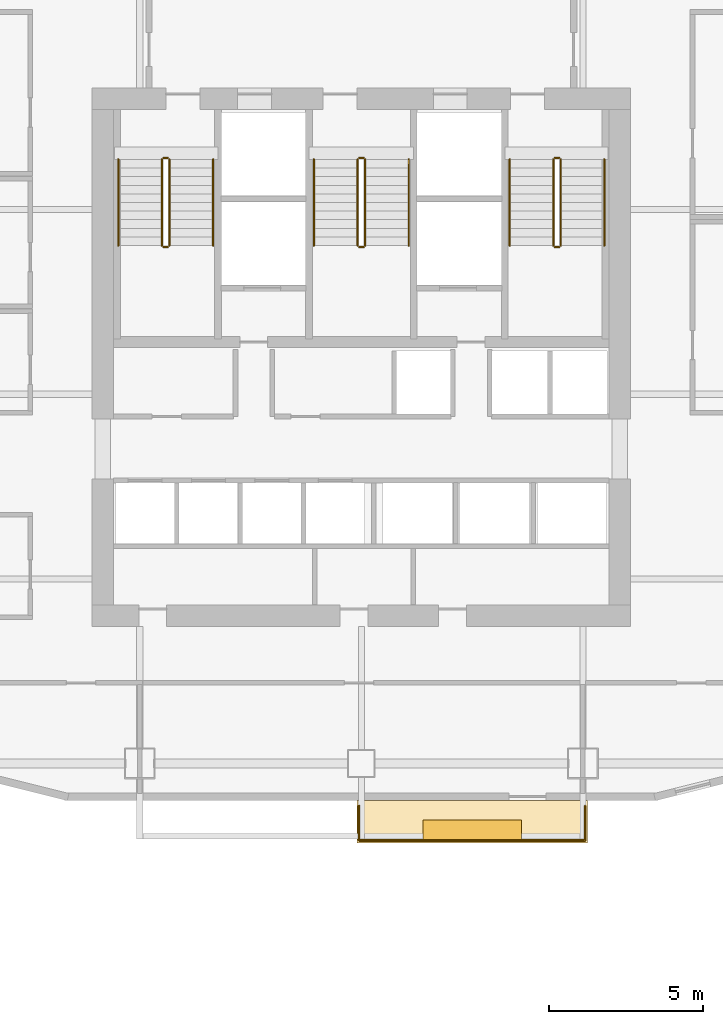
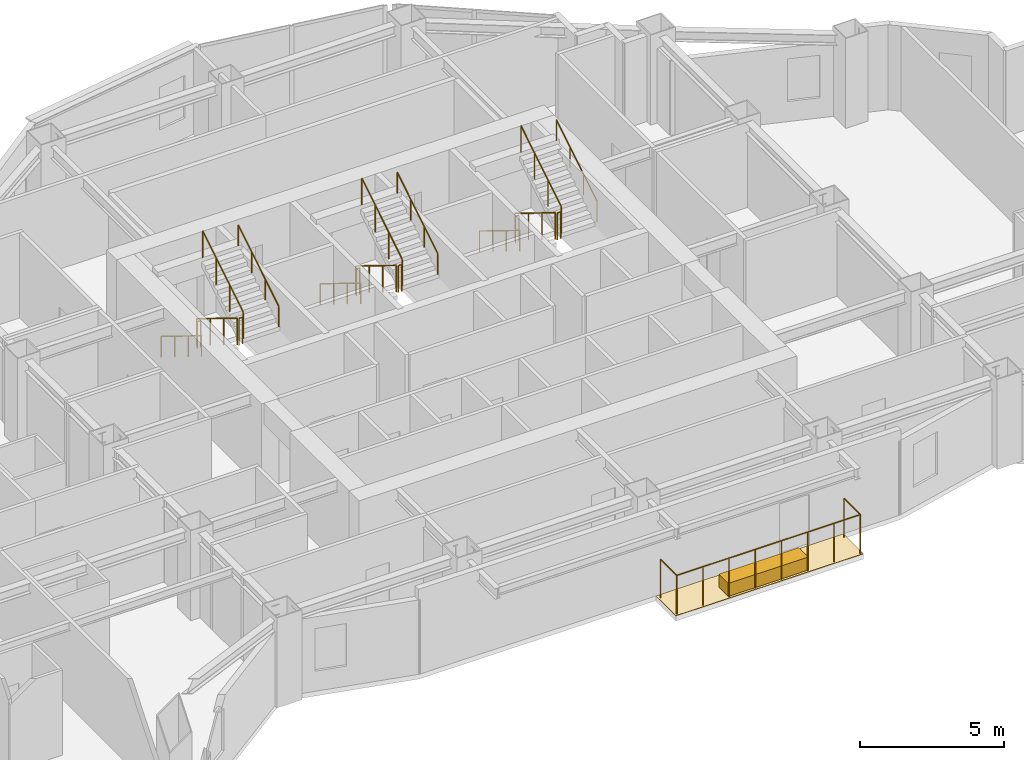
# One storey, part 12 of 13: 20 railings, 2 coverings.
"""IFC4 building model written with IfcOpenShell, lengths in metres."""

from ifc_helpers import new_model, si_unit, direction, frame, origin, origin_2d, place, context, subcontext, project, spatial, polyline, rectangle, circle, outline, extrude, material, layer, layer_set, type_object, element, save


model = new_model("IFC4")

# Units and contexts
model_context = context("Model", 3, precision=1e-05, world=origin(), true_north=direction((0.0, 1.0)))
body_context = subcontext(model_context, "Body", "Model", "MODEL_VIEW")
ifc_project = project(units=[si_unit("LENGTHUNIT", "METRE"), si_unit("AREAUNIT", "SQUARE_METRE"), si_unit("VOLUMEUNIT", "CUBIC_METRE"), si_unit("PLANEANGLEUNIT", "RADIAN"), si_unit("MASSUNIT", "GRAM", prefix="KILO")], contexts=[model_context])

# Site, building, storey
site_placement = place(None, origin())
site = spatial("IfcSite", under=ifc_project, at=site_placement, CompositionType="ELEMENT")
building_placement = place(site_placement, origin())
building = spatial("IfcBuilding", under=site, at=building_placement, Name="Haolan Belvedere Tower", CompositionType="ELEMENT")
storey_placement = place(building_placement, frame((0.0, 0.0, 106.0)))
storey = spatial("IfcBuildingStorey", under=building, at=storey_placement, Name="L26", CompositionType="ELEMENT", Elevation=106.0)

# Coverings
ifc_material_1 = material(Name="Engineered lightweight planted garden soil substrate", Category="masonry")
ifc_layer_1 = layer(ifc_material_1, 0.550048828125, Name="Engineered lightweight planted garden soil substrate")
ifc_layer_set_1 = layer_set([ifc_layer_1], Name="Engineered lightweight planted garden soil substrate")
covering_type_1 = type_object("IfcCoveringType", Name="COV-PLANT-550", PredefinedType="MEMBRANE", material=ifc_layer_set_1)
covering_1_placement = place(storey_placement, frame((42.0, 19.43994140625, 0.0), z_axis=(0.0, 0.0, 1.0), x_axis=(1.0, 0.0, 0.0)))
element("IfcCovering", 1, at=covering_1_placement, inside=storey, type_object=covering_type_1, Name="L26 structural tree balcony PLANTER box 1", PredefinedType="MEMBRANE", context=body_context, shape_type="SweptSolid", body=[
    extrude(rectangle(XDim=3.199951171875, YDim=0.64990234375, at=origin_2d()), origin(), (0.0, 0.0, 1.0), 0.550048828125),
])
ifc_material_2 = material(Name="Elastomeric waterproof roofing membrane and stone pavers", Category="masonry")
ifc_layer_2 = layer(ifc_material_2, 0.02001953125, Name="Elastomeric waterproof roofing membrane and stone pavers")
ifc_layer_set_2 = layer_set([ifc_layer_2], Name="Elastomeric waterproof roofing membrane and stone pavers")
covering_type_2 = type_object("IfcCoveringType", Name="COV-ROOF-20", PredefinedType="ROOFING", material=ifc_layer_set_2)
covering_2_placement = place(storey_placement, frame((0.0, 0.0, -0.02001953125)))
element("IfcCovering", 2, at=covering_2_placement, inside=storey, type_object=covering_type_2, Name="L26 tree-balcony waterproof membrane 1", PredefinedType="ROOFING", context=body_context, shape_type="SweptSolid", body=[
    extrude(outline(polyline([(38.25, 19.02001953125), (45.75, 19.02001953125), (45.75, 20.39990234375), (38.25, 20.39990234375), (38.25, 19.02001953125)])), origin(), (0.0, 0.0, 1.0), 0.02001953125),
])

# Railings
ifc_material_3 = material(Name="Brushed stainless steel 304", Category="steel")
railing_type_1 = type_object("IfcRailingType", Name="RL-STAIR-GRD-1150", PredefinedType="GUARDRAIL", material=ifc_material_3)
railing_1_placement = place(storey_placement, frame((31.919921875, 41.22998046875, 0.172607421875)))
element("IfcRailing", 3, at=railing_1_placement, inside=storey, type_object=railing_type_1, Name="L26 ST1 stair guard 1", PredefinedType="GUARDRAIL", context=body_context, shape_type="SweptSolid", body=[
    extrude(circle(Radius=0.02392578125, at=origin_2d()), frame((0.0, 0.0, 1.1259765625), z_axis=(0.0, -0.851089632645, 0.525020415988), x_axis=(1.0, 0.0, 0.0)), (0.0, 0.0, 1.0), 3.2900390625),
    extrude(circle(Radius=0.02099609375, at=origin_2d()), origin(), (0.0, 0.0, 1.0), 1.101806640625),
    extrude(circle(Radius=0.02099609375, at=origin_2d()), frame((0.0, -0.933349609375, 0.57568359375)), (0.0, 0.0, 1.0), 1.101806640625),
    extrude(circle(Radius=0.02099609375, at=origin_2d()), frame((0.0, -1.86669921875, 1.151611328125)), (0.0, 0.0, 1.0), 1.101806640625),
    extrude(circle(Radius=0.02099609375, at=origin_2d()), frame((0.0, -2.800048828125, 1.727294921875)), (0.0, 0.0, 1.0), 1.101806640625),
])
railing_2_placement = place(storey_placement, frame((31.969970703125, 38.3798828125, 1.89990234375)))
element("IfcRailing", 4, at=railing_2_placement, inside=storey, type_object=railing_type_1, Name="L26 ST1 stair guard 2", PredefinedType="GUARDRAIL", context=body_context, shape_type="SweptSolid", body=[
    extrude(circle(Radius=0.02392578125, at=origin_2d()), frame((0.0, 0.0, 1.1259765625), z_axis=(1.0, 0.0, 0.0), x_axis=(0.0, 1.0, 0.0)), (0.0, 0.0, 1.0), 0.14013671875),
    extrude(circle(Radius=0.02099609375, at=origin_2d()), origin(), (0.0, 0.0, 1.0), 1.101806640625),
    extrude(circle(Radius=0.02099609375, at=origin_2d()), frame((0.14013671875, 0.0, 0.0)), (0.0, 0.0, 1.0), 1.101806640625),
])
railing_3_placement = place(storey_placement, frame((32.159912109375, 38.429931640625, 2.07275390625)))
element("IfcRailing", 5, at=railing_3_placement, inside=storey, type_object=railing_type_1, Name="L26 ST1 stair guard 3", PredefinedType="GUARDRAIL", context=body_context, shape_type="SweptSolid", body=[
    extrude(circle(Radius=0.02392578125, at=origin_2d()), frame((0.0, 0.0, 1.1259765625), z_axis=(0.0, 0.851089632645, 0.525020415988), x_axis=(-1.0, 0.0, 0.0)), (0.0, 0.0, 1.0), 3.2900390625),
    extrude(circle(Radius=0.02099609375, at=origin_2d()), origin(), (0.0, 0.0, 1.0), 1.101806640625),
    extrude(circle(Radius=0.02099609375, at=origin_2d()), frame((0.0, 0.933349609375, 0.57568359375)), (0.0, 0.0, 1.0), 1.101806640625),
    extrude(circle(Radius=0.02099609375, at=origin_2d()), frame((0.0, 1.86669921875, 1.151611328125)), (0.0, 0.0, 1.0), 1.101806640625),
    extrude(circle(Radius=0.02099609375, at=origin_2d()), frame((0.0, 2.800048828125, 1.727294921875)), (0.0, 0.0, 1.0), 1.101806640625),
])
railing_4_placement = place(storey_placement, frame((31.969970703125, 41.280029296875, 0.0)))
element("IfcRailing", 6, at=railing_4_placement, inside=storey, type_object=railing_type_1, Name="L26 ST1 stair guard 4", PredefinedType="GUARDRAIL", context=body_context, shape_type="SweptSolid", body=[
    extrude(circle(Radius=0.02392578125, at=origin_2d()), frame((0.0, 0.0, 1.1259765625), z_axis=(1.0, 0.0, 0.0), x_axis=(0.0, 1.0, 0.0)), (0.0, 0.0, 1.0), 0.14013671875),
    extrude(circle(Radius=0.02099609375, at=origin_2d()), origin(), (0.0, 0.0, 1.0), 1.101806640625),
    extrude(circle(Radius=0.02099609375, at=origin_2d()), frame((0.14013671875, 0.0, 0.0)), (0.0, 0.0, 1.0), 1.101806640625),
])
railing_5_placement = place(storey_placement, frame((38.280029296875, 41.22998046875, 0.172607421875)))
element("IfcRailing", 7, at=railing_5_placement, inside=storey, type_object=railing_type_1, Name="L26 ST3 stair guard 1", PredefinedType="GUARDRAIL", context=body_context, shape_type="SweptSolid", body=[
    extrude(circle(Radius=0.02392578125, at=origin_2d()), frame((0.0, 0.0, 1.1259765625), z_axis=(0.0, -0.851089632645, 0.525020415988), x_axis=(1.0, 0.0, 0.0)), (0.0, 0.0, 1.0), 3.2900390625),
    extrude(circle(Radius=0.02099609375, at=origin_2d()), origin(), (0.0, 0.0, 1.0), 1.101806640625),
    extrude(circle(Radius=0.02099609375, at=origin_2d()), frame((0.0, -0.933349609375, 0.57568359375)), (0.0, 0.0, 1.0), 1.101806640625),
    extrude(circle(Radius=0.02099609375, at=origin_2d()), frame((0.0, -1.86669921875, 1.151611328125)), (0.0, 0.0, 1.0), 1.101806640625),
    extrude(circle(Radius=0.02099609375, at=origin_2d()), frame((0.0, -2.800048828125, 1.727294921875)), (0.0, 0.0, 1.0), 1.101806640625),
])
railing_6_placement = place(storey_placement, frame((38.330078125, 38.3798828125, 1.89990234375)))
element("IfcRailing", 8, at=railing_6_placement, inside=storey, type_object=railing_type_1, Name="L26 ST3 stair guard 2", PredefinedType="GUARDRAIL", context=body_context, shape_type="SweptSolid", body=[
    extrude(circle(Radius=0.02392578125, at=origin_2d()), frame((0.0, 0.0, 1.1259765625), z_axis=(1.0, 0.0, 0.0), x_axis=(0.0, 1.0, 0.0)), (0.0, 0.0, 1.0), 0.139892578125),
    extrude(circle(Radius=0.02099609375, at=origin_2d()), origin(), (0.0, 0.0, 1.0), 1.101806640625),
    extrude(circle(Radius=0.02099609375, at=origin_2d()), frame((0.139892578125, 0.0, 0.0)), (0.0, 0.0, 1.0), 1.101806640625),
])
railing_7_placement = place(storey_placement, frame((38.52001953125, 38.429931640625, 2.07275390625)))
element("IfcRailing", 9, at=railing_7_placement, inside=storey, type_object=railing_type_1, Name="L26 ST3 stair guard 3", PredefinedType="GUARDRAIL", context=body_context, shape_type="SweptSolid", body=[
    extrude(circle(Radius=0.02392578125, at=origin_2d()), frame((0.0, 0.0, 1.1259765625), z_axis=(0.0, 0.851089632645, 0.525020415988), x_axis=(-1.0, 0.0, 0.0)), (0.0, 0.0, 1.0), 3.2900390625),
    extrude(circle(Radius=0.02099609375, at=origin_2d()), origin(), (0.0, 0.0, 1.0), 1.101806640625),
    extrude(circle(Radius=0.02099609375, at=origin_2d()), frame((0.0, 0.933349609375, 0.57568359375)), (0.0, 0.0, 1.0), 1.101806640625),
    extrude(circle(Radius=0.02099609375, at=origin_2d()), frame((0.0, 1.86669921875, 1.151611328125)), (0.0, 0.0, 1.0), 1.101806640625),
    extrude(circle(Radius=0.02099609375, at=origin_2d()), frame((0.0, 2.800048828125, 1.727294921875)), (0.0, 0.0, 1.0), 1.101806640625),
])
railing_8_placement = place(storey_placement, frame((38.330078125, 41.280029296875, 0.0)))
element("IfcRailing", 10, at=railing_8_placement, inside=storey, type_object=railing_type_1, Name="L26 ST3 stair guard 4", PredefinedType="GUARDRAIL", context=body_context, shape_type="SweptSolid", body=[
    extrude(circle(Radius=0.02392578125, at=origin_2d()), frame((0.0, 0.0, 1.1259765625), z_axis=(1.0, 0.0, 0.0), x_axis=(0.0, 1.0, 0.0)), (0.0, 0.0, 1.0), 0.139892578125),
    extrude(circle(Radius=0.02099609375, at=origin_2d()), origin(), (0.0, 0.0, 1.0), 1.101806640625),
    extrude(circle(Radius=0.02099609375, at=origin_2d()), frame((0.139892578125, 0.0, 0.0)), (0.0, 0.0, 1.0), 1.101806640625),
])
railing_9_placement = place(storey_placement, frame((44.639892578125, 41.22998046875, 0.172607421875)))
element("IfcRailing", 11, at=railing_9_placement, inside=storey, type_object=railing_type_1, Name="L26 ST2 stair guard 1", PredefinedType="GUARDRAIL", context=body_context, shape_type="SweptSolid", body=[
    extrude(circle(Radius=0.02392578125, at=origin_2d()), frame((0.0, 0.0, 1.1259765625), z_axis=(0.0, -0.851089632645, 0.525020415988), x_axis=(1.0, 0.0, 0.0)), (0.0, 0.0, 1.0), 3.2900390625),
    extrude(circle(Radius=0.02099609375, at=origin_2d()), origin(), (0.0, 0.0, 1.0), 1.101806640625),
    extrude(circle(Radius=0.02099609375, at=origin_2d()), frame((0.0, -0.933349609375, 0.57568359375)), (0.0, 0.0, 1.0), 1.101806640625),
    extrude(circle(Radius=0.02099609375, at=origin_2d()), frame((0.0, -1.86669921875, 1.151611328125)), (0.0, 0.0, 1.0), 1.101806640625),
    extrude(circle(Radius=0.02099609375, at=origin_2d()), frame((0.0, -2.800048828125, 1.727294921875)), (0.0, 0.0, 1.0), 1.101806640625),
])
railing_10_placement = place(storey_placement, frame((44.68994140625, 38.3798828125, 1.89990234375)))
element("IfcRailing", 12, at=railing_10_placement, inside=storey, type_object=railing_type_1, Name="L26 ST2 stair guard 2", PredefinedType="GUARDRAIL", context=body_context, shape_type="SweptSolid", body=[
    extrude(circle(Radius=0.02392578125, at=origin_2d()), frame((0.0, 0.0, 1.1259765625), z_axis=(1.0, 0.0, 0.0), x_axis=(0.0, 1.0, 0.0)), (0.0, 0.0, 1.0), 0.14013671875),
    extrude(circle(Radius=0.02099609375, at=origin_2d()), origin(), (0.0, 0.0, 1.0), 1.101806640625),
    extrude(circle(Radius=0.02099609375, at=origin_2d()), frame((0.14013671875, 0.0, 0.0)), (0.0, 0.0, 1.0), 1.101806640625),
])
railing_11_placement = place(storey_placement, frame((44.8798828125, 38.429931640625, 2.07275390625)))
element("IfcRailing", 13, at=railing_11_placement, inside=storey, type_object=railing_type_1, Name="L26 ST2 stair guard 3", PredefinedType="GUARDRAIL", context=body_context, shape_type="SweptSolid", body=[
    extrude(circle(Radius=0.02392578125, at=origin_2d()), frame((0.0, 0.0, 1.1259765625), z_axis=(0.0, 0.851089632645, 0.525020415988), x_axis=(-1.0, 0.0, 0.0)), (0.0, 0.0, 1.0), 3.2900390625),
    extrude(circle(Radius=0.02099609375, at=origin_2d()), origin(), (0.0, 0.0, 1.0), 1.101806640625),
    extrude(circle(Radius=0.02099609375, at=origin_2d()), frame((0.0, 0.933349609375, 0.57568359375)), (0.0, 0.0, 1.0), 1.101806640625),
    extrude(circle(Radius=0.02099609375, at=origin_2d()), frame((0.0, 1.86669921875, 1.151611328125)), (0.0, 0.0, 1.0), 1.101806640625),
    extrude(circle(Radius=0.02099609375, at=origin_2d()), frame((0.0, 2.800048828125, 1.727294921875)), (0.0, 0.0, 1.0), 1.101806640625),
])
railing_12_placement = place(storey_placement, frame((44.68994140625, 41.280029296875, 0.0)))
element("IfcRailing", 14, at=railing_12_placement, inside=storey, type_object=railing_type_1, Name="L26 ST2 stair guard 4", PredefinedType="GUARDRAIL", context=body_context, shape_type="SweptSolid", body=[
    extrude(circle(Radius=0.02392578125, at=origin_2d()), frame((0.0, 0.0, 1.1259765625), z_axis=(1.0, 0.0, 0.0), x_axis=(0.0, 1.0, 0.0)), (0.0, 0.0, 1.0), 0.14013671875),
    extrude(circle(Radius=0.02099609375, at=origin_2d()), origin(), (0.0, 0.0, 1.0), 1.101806640625),
    extrude(circle(Radius=0.02099609375, at=origin_2d()), frame((0.14013671875, 0.0, 0.0)), (0.0, 0.0, 1.0), 1.101806640625),
])
railing_type_2 = type_object("IfcRailingType", Name="RL-STAIR-HND-900", PredefinedType="HANDRAIL", material=ifc_material_3)
railing_13_placement = place(storey_placement, frame((30.5, 41.22998046875, 0.172607421875)))
element("IfcRailing", 15, at=railing_13_placement, inside=storey, type_object=railing_type_2, Name="L26 ST1 stair handrail 1", PredefinedType="HANDRAIL", context=body_context, shape_type="SweptSolid", body=[
    extrude(circle(Radius=0.02392578125, at=origin_2d()), frame((0.0, 0.0, 0.8759765625), z_axis=(0.0, -0.851089632645, 0.525020415988), x_axis=(1.0, 0.0, 0.0)), (0.0, 0.0, 1.0), 3.2900390625),
    extrude(circle(Radius=0.02099609375, at=origin_2d()), origin(), (0.0, 0.0, 1.0), 0.851806640625),
    extrude(circle(Radius=0.02099609375, at=origin_2d()), frame((0.0, -0.933349609375, 0.57568359375)), (0.0, 0.0, 1.0), 0.851806640625),
    extrude(circle(Radius=0.02099609375, at=origin_2d()), frame((0.0, -1.86669921875, 1.151611328125)), (0.0, 0.0, 1.0), 0.851806640625),
    extrude(circle(Radius=0.02099609375, at=origin_2d()), frame((0.0, -2.800048828125, 1.727294921875)), (0.0, 0.0, 1.0), 0.851806640625),
])
railing_14_placement = place(storey_placement, frame((33.580078125, 38.429931640625, 2.07275390625)))
element("IfcRailing", 16, at=railing_14_placement, inside=storey, type_object=railing_type_2, Name="L26 ST1 stair handrail 2", PredefinedType="HANDRAIL", context=body_context, shape_type="SweptSolid", body=[
    extrude(circle(Radius=0.02392578125, at=origin_2d()), frame((0.0, 0.0, 0.8759765625), z_axis=(0.0, 0.851089632645, 0.525020415988), x_axis=(-1.0, 0.0, 0.0)), (0.0, 0.0, 1.0), 3.2900390625),
    extrude(circle(Radius=0.02099609375, at=origin_2d()), origin(), (0.0, 0.0, 1.0), 0.851806640625),
    extrude(circle(Radius=0.02099609375, at=origin_2d()), frame((0.0, 0.933349609375, 0.57568359375)), (0.0, 0.0, 1.0), 0.851806640625),
    extrude(circle(Radius=0.02099609375, at=origin_2d()), frame((0.0, 1.86669921875, 1.151611328125)), (0.0, 0.0, 1.0), 0.851806640625),
    extrude(circle(Radius=0.02099609375, at=origin_2d()), frame((0.0, 2.800048828125, 1.727294921875)), (0.0, 0.0, 1.0), 0.851806640625),
])
railing_15_placement = place(storey_placement, frame((36.860107421875, 41.22998046875, 0.172607421875)))
element("IfcRailing", 17, at=railing_15_placement, inside=storey, type_object=railing_type_2, Name="L26 ST3 stair handrail 1", PredefinedType="HANDRAIL", context=body_context, shape_type="SweptSolid", body=[
    extrude(circle(Radius=0.02392578125, at=origin_2d()), frame((0.0, 0.0, 0.8759765625), z_axis=(0.0, -0.851089632645, 0.525020415988), x_axis=(1.0, 0.0, 0.0)), (0.0, 0.0, 1.0), 3.2900390625),
    extrude(circle(Radius=0.02099609375, at=origin_2d()), origin(), (0.0, 0.0, 1.0), 0.851806640625),
    extrude(circle(Radius=0.02099609375, at=origin_2d()), frame((0.0, -0.933349609375, 0.57568359375)), (0.0, 0.0, 1.0), 0.851806640625),
    extrude(circle(Radius=0.02099609375, at=origin_2d()), frame((0.0, -1.86669921875, 1.151611328125)), (0.0, 0.0, 1.0), 0.851806640625),
    extrude(circle(Radius=0.02099609375, at=origin_2d()), frame((0.0, -2.800048828125, 1.727294921875)), (0.0, 0.0, 1.0), 0.851806640625),
])
railing_16_placement = place(storey_placement, frame((39.93994140625, 38.429931640625, 2.07275390625)))
element("IfcRailing", 18, at=railing_16_placement, inside=storey, type_object=railing_type_2, Name="L26 ST3 stair handrail 2", PredefinedType="HANDRAIL", context=body_context, shape_type="SweptSolid", body=[
    extrude(circle(Radius=0.02392578125, at=origin_2d()), frame((0.0, 0.0, 0.8759765625), z_axis=(0.0, 0.851089632645, 0.525020415988), x_axis=(-1.0, 0.0, 0.0)), (0.0, 0.0, 1.0), 3.2900390625),
    extrude(circle(Radius=0.02099609375, at=origin_2d()), origin(), (0.0, 0.0, 1.0), 0.851806640625),
    extrude(circle(Radius=0.02099609375, at=origin_2d()), frame((0.0, 0.933349609375, 0.57568359375)), (0.0, 0.0, 1.0), 0.851806640625),
    extrude(circle(Radius=0.02099609375, at=origin_2d()), frame((0.0, 1.86669921875, 1.151611328125)), (0.0, 0.0, 1.0), 0.851806640625),
    extrude(circle(Radius=0.02099609375, at=origin_2d()), frame((0.0, 2.800048828125, 1.727294921875)), (0.0, 0.0, 1.0), 0.851806640625),
])
railing_17_placement = place(storey_placement, frame((43.219970703125, 41.22998046875, 0.172607421875)))
element("IfcRailing", 19, at=railing_17_placement, inside=storey, type_object=railing_type_2, Name="L26 ST2 stair handrail 1", PredefinedType="HANDRAIL", context=body_context, shape_type="SweptSolid", body=[
    extrude(circle(Radius=0.02392578125, at=origin_2d()), frame((0.0, 0.0, 0.8759765625), z_axis=(0.0, -0.851089632645, 0.525020415988), x_axis=(1.0, 0.0, 0.0)), (0.0, 0.0, 1.0), 3.2900390625),
    extrude(circle(Radius=0.02099609375, at=origin_2d()), origin(), (0.0, 0.0, 1.0), 0.851806640625),
    extrude(circle(Radius=0.02099609375, at=origin_2d()), frame((0.0, -0.933349609375, 0.57568359375)), (0.0, 0.0, 1.0), 0.851806640625),
    extrude(circle(Radius=0.02099609375, at=origin_2d()), frame((0.0, -1.86669921875, 1.151611328125)), (0.0, 0.0, 1.0), 0.851806640625),
    extrude(circle(Radius=0.02099609375, at=origin_2d()), frame((0.0, -2.800048828125, 1.727294921875)), (0.0, 0.0, 1.0), 0.851806640625),
])
railing_18_placement = place(storey_placement, frame((46.300048828125, 38.429931640625, 2.07275390625)))
element("IfcRailing", 20, at=railing_18_placement, inside=storey, type_object=railing_type_2, Name="L26 ST2 stair handrail 2", PredefinedType="HANDRAIL", context=body_context, shape_type="SweptSolid", body=[
    extrude(circle(Radius=0.02392578125, at=origin_2d()), frame((0.0, 0.0, 0.8759765625), z_axis=(0.0, 0.851089632645, 0.525020415988), x_axis=(-1.0, 0.0, 0.0)), (0.0, 0.0, 1.0), 3.2900390625),
    extrude(circle(Radius=0.02099609375, at=origin_2d()), origin(), (0.0, 0.0, 1.0), 0.851806640625),
    extrude(circle(Radius=0.02099609375, at=origin_2d()), frame((0.0, 0.933349609375, 0.57568359375)), (0.0, 0.0, 1.0), 0.851806640625),
    extrude(circle(Radius=0.02099609375, at=origin_2d()), frame((0.0, 1.86669921875, 1.151611328125)), (0.0, 0.0, 1.0), 0.851806640625),
    extrude(circle(Radius=0.02099609375, at=origin_2d()), frame((0.0, 2.800048828125, 1.727294921875)), (0.0, 0.0, 1.0), 0.851806640625),
])
ifc_material_4 = material(Name="Anodised aluminium and laminated glass balustrade", Category="aluminium")
railing_type_3 = type_object("IfcRailingType", Name="RL-TER-BAL-1150", PredefinedType="BALUSTRADE", material=ifc_material_4)
railing_19_placement = place(storey_placement, frame((38.330078125, 19.10009765625, 0.0)))
element("IfcRailing", 21, at=railing_19_placement, inside=storey, type_object=railing_type_3, Name="L26 outdoor perimeter balustrade BAL-L26-1-1", PredefinedType="BALUSTRADE", context=body_context, shape_type="SweptSolid", body=[
    extrude(circle(Radius=0.02392578125, at=origin_2d()), frame((0.0, 0.0, 1.6259765625), z_axis=(0.0, 1.0, 0.0), x_axis=(-1.0, 0.0, 0.0)), (0.0, 0.0, 1.0), 1.119873046875),
    extrude(circle(Radius=0.02099609375, at=origin_2d()), origin(), (0.0, 0.0, 1.0), 1.601806640625),
    extrude(circle(Radius=0.02099609375, at=origin_2d()), frame((0.0, 1.119873046875, 0.0)), (0.0, 0.0, 1.0), 1.601806640625),
])
railing_20_placement = place(storey_placement, frame((45.669921875, 20.219970703125, 0.0)))
element("IfcRailing", 22, at=railing_20_placement, inside=storey, type_object=railing_type_3, Name="L26 outdoor perimeter balustrade BAL-L26-1-2", PredefinedType="BALUSTRADE", context=body_context, shape_type="SweptSolid", body=[
    extrude(circle(Radius=0.02392578125, at=origin_2d()), frame((0.0, 0.0, 1.6259765625), z_axis=(0.0, -1.0, 0.0), x_axis=(1.0, 0.0, 0.0)), (0.0, 0.0, 1.0), 1.119873046875),
    extrude(circle(Radius=0.02392578125, at=origin_2d()), frame((0.0, -1.119873046875, 1.6259765625), z_axis=(-1.0, 0.0, 0.0), x_axis=(0.0, -1.0, 0.0)), (0.0, 0.0, 1.0), 7.33984375),
    extrude(circle(Radius=0.02099609375, at=origin_2d()), origin(), (0.0, 0.0, 1.0), 1.601806640625),
    extrude(circle(Radius=0.02099609375, at=origin_2d()), frame((0.0, -1.119873046875, 0.0)), (0.0, 0.0, 1.0), 1.601806640625),
    extrude(circle(Radius=0.02099609375, at=origin_2d()), frame((-1.048583984375, -1.119873046875, 0.0)), (0.0, 0.0, 1.0), 1.601806640625),
    extrude(circle(Radius=0.02099609375, at=origin_2d()), frame((-2.09716796875, -1.119873046875, 0.0)), (0.0, 0.0, 1.0), 1.601806640625),
    extrude(circle(Radius=0.02099609375, at=origin_2d()), frame((-3.145751953125, -1.119873046875, 0.0)), (0.0, 0.0, 1.0), 1.601806640625),
    extrude(circle(Radius=0.02099609375, at=origin_2d()), frame((-4.194091796875, -1.119873046875, 0.0)), (0.0, 0.0, 1.0), 1.601806640625),
    extrude(circle(Radius=0.02099609375, at=origin_2d()), frame((-5.24267578125, -1.119873046875, 0.0)), (0.0, 0.0, 1.0), 1.601806640625),
    extrude(circle(Radius=0.02099609375, at=origin_2d()), frame((-6.291259765625, -1.119873046875, 0.0)), (0.0, 0.0, 1.0), 1.601806640625),
    extrude(circle(Radius=0.02099609375, at=origin_2d()), frame((-7.33984375, -1.119873046875, 0.0)), (0.0, 0.0, 1.0), 1.601806640625),
])

save(model, "model.ifc")
